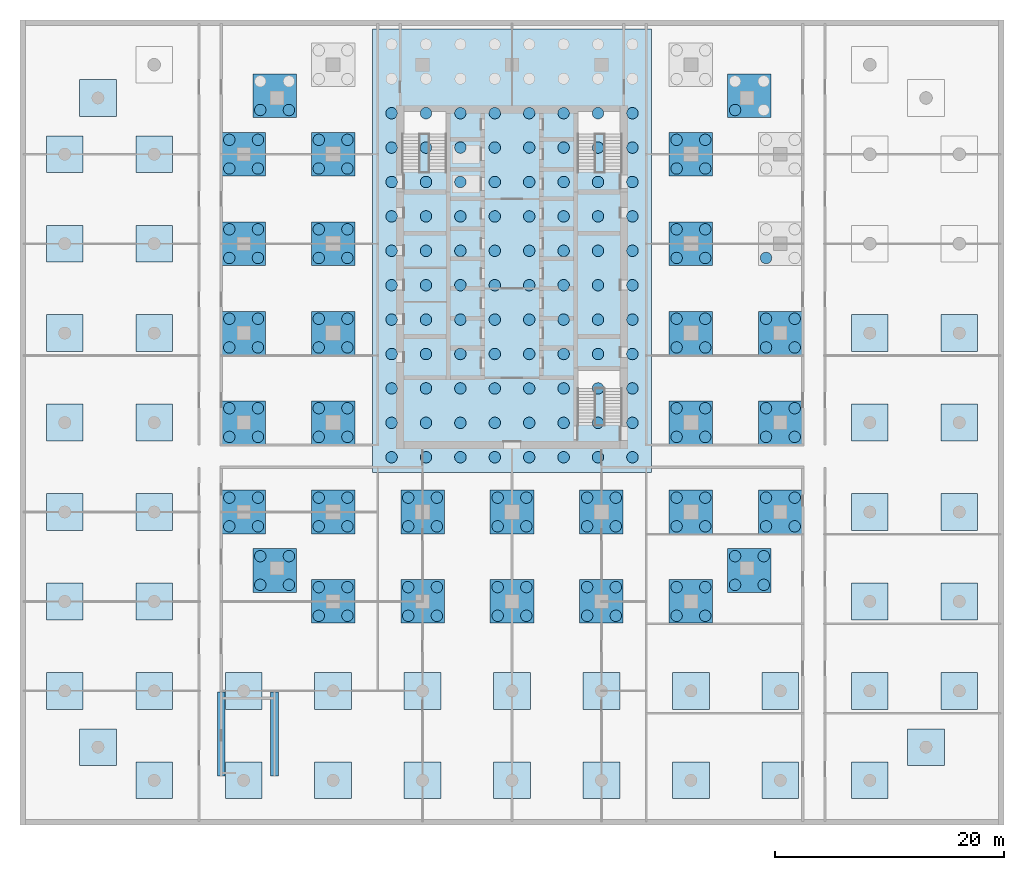
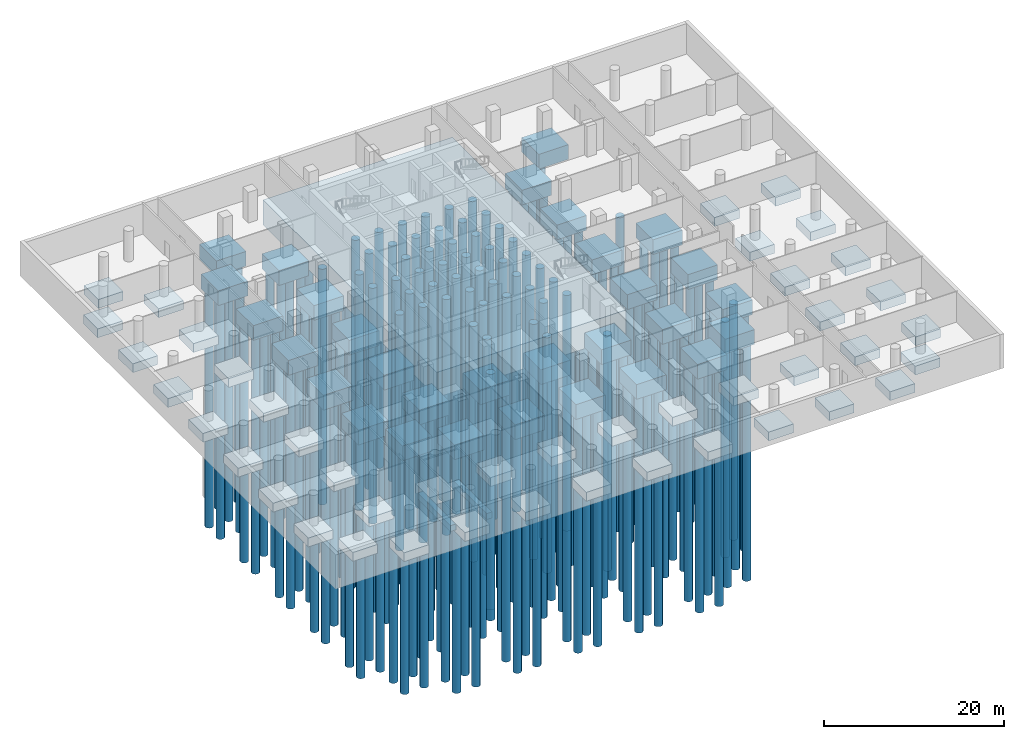
# One storey, part 1 of 16: 204 piles, 76 footings.
"""IFC4 building model written with IfcOpenShell, lengths in metres."""

from ifc_helpers import new_model, si_unit, direction, frame, origin, origin_2d, place, context, subcontext, project, spatial, rectangle, circle, extrude, material, material_profile, profile_set, type_object, element, save


model = new_model("IFC4")

# Units and contexts
model_context = context("Model", 3, precision=1e-05, world=origin(), true_north=direction((0.0, 1.0)))
body_context = subcontext(model_context, "Body", "Model", "MODEL_VIEW")
ifc_project = project(units=[si_unit("LENGTHUNIT", "METRE"), si_unit("AREAUNIT", "SQUARE_METRE"), si_unit("VOLUMEUNIT", "CUBIC_METRE"), si_unit("PLANEANGLEUNIT", "RADIAN"), si_unit("MASSUNIT", "GRAM", prefix="KILO")], contexts=[model_context])

# Site, building, storey
site_placement = place(None, origin())
site = spatial("IfcSite", under=ifc_project, at=site_placement, CompositionType="ELEMENT")
building_placement = place(site_placement, origin())
building = spatial("IfcBuilding", under=site, at=building_placement, Name="Ludao Terraces", CompositionType="ELEMENT")
storey_placement = place(building_placement, frame((0.0, 0.0, -9.0)))
storey = spatial("IfcBuildingStorey", under=building, at=storey_placement, Name="B2", CompositionType="ELEMENT", Elevation=-9.0)

# Piles
ifc_material = material(Name="Concrete C40", Category="concrete")
ifc_material_profile = material_profile(ifc_material, circle(Radius=0.5, at=origin_2d()), Name="D1000 BORED PILE")
ifc_profile_set = profile_set([ifc_material_profile], Name="Concrete C40")
pile_type = type_object("IfcPileType", Name="Bored pile D1000", PredefinedType="BORED", material=ifc_profile_set)
for number, where, z_axis, x_axis, name in (
    (1, (74.5, 54.175048828125, -3.89990234375), (0.0, 0.0, -1.0), (1.0, 0.0, 0.0), "Raft pile 1-1"),
    (2, (74.5, 57.175048828125, -3.89990234375), (0.0, 0.0, -1.0), (1.0, 0.0, 0.0), "Raft pile 1-2"),
    (3, (74.5, 60.175048828125, -3.89990234375), (0.0, 0.0, -1.0), (1.0, 0.0, 0.0), "Raft pile 1-3"),
    (4, (74.5, 63.175048828125, -3.89990234375), (0.0, 0.0, -1.0), (1.0, 0.0, 0.0), "Raft pile 1-4"),
    (5, (74.5, 66.175048828125, -3.89990234375), (0.0, 0.0, -1.0), (1.0, 0.0, 0.0), "Raft pile 1-5"),
    (6, (74.5, 69.175048828125, -3.89990234375), (0.0, 0.0, -1.0), (1.0, 0.0, 0.0), "Raft pile 1-6"),
    (7, (74.5, 72.175048828125, -3.89990234375), (0.0, 0.0, -1.0), (1.0, 0.0, 0.0), "Raft pile 1-7"),
    (8, (74.5, 75.175048828125, -3.89990234375), (0.0, 0.0, -1.0), (1.0, 0.0, 0.0), "Raft pile 1-8"),
    (9, (74.5, 78.175048828125, -3.89990234375), (0.0, 0.0, -1.0), (1.0, 0.0, 0.0), "Raft pile 1-9"),
    (10, (74.5, 81.175048828125, -3.89990234375), (0.0, 0.0, -1.0), (1.0, 0.0, 0.0), "Raft pile 1-10"),
    (11, (74.5, 84.175048828125, -3.89990234375), (0.0, 0.0, -1.0), (1.0, 0.0, 0.0), "Raft pile 1-11"),
    (12, (77.5, 54.175048828125, -3.89990234375), (0.0, 0.0, -1.0), (1.0, 0.0, 0.0), "Raft pile 2-1"),
    (13, (77.5, 57.175048828125, -3.89990234375), (0.0, 0.0, -1.0), (1.0, 0.0, 0.0), "Raft pile 2-2"),
    (14, (77.5, 60.175048828125, -3.89990234375), (0.0, 0.0, -1.0), (1.0, 0.0, 0.0), "Raft pile 2-3"),
    (15, (77.5, 63.175048828125, -3.89990234375), (0.0, 0.0, -1.0), (1.0, 0.0, 0.0), "Raft pile 2-4"),
    (16, (77.5, 66.175048828125, -3.89990234375), (0.0, 0.0, -1.0), (1.0, 0.0, 0.0), "Raft pile 2-5"),
    (17, (77.5, 69.175048828125, -3.89990234375), (0.0, 0.0, -1.0), (1.0, 0.0, 0.0), "Raft pile 2-6"),
    (18, (77.5, 72.175048828125, -3.89990234375), (0.0, 0.0, -1.0), (1.0, 0.0, 0.0), "Raft pile 2-7"),
    (19, (77.5, 75.175048828125, -3.89990234375), (0.0, 0.0, -1.0), (1.0, 0.0, 0.0), "Raft pile 2-8"),
    (20, (77.5, 78.175048828125, -3.89990234375), (0.0, 0.0, -1.0), (1.0, 0.0, 0.0), "Raft pile 2-9"),
    (21, (77.5, 81.175048828125, -3.89990234375), (0.0, 0.0, -1.0), (1.0, 0.0, 0.0), "Raft pile 2-10"),
    (22, (77.5, 84.175048828125, -3.89990234375), (0.0, 0.0, -1.0), (1.0, 0.0, 0.0), "Raft pile 2-11"),
    (23, (80.5, 54.175048828125, -3.89990234375), (0.0, 0.0, -1.0), (1.0, 0.0, 0.0), "Raft pile 3-1"),
    (24, (80.5, 57.175048828125, -3.89990234375), (0.0, 0.0, -1.0), (1.0, 0.0, 0.0), "Raft pile 3-2"),
    (25, (80.5, 60.175048828125, -3.89990234375), (0.0, 0.0, -1.0), (1.0, 0.0, 0.0), "Raft pile 3-3"),
    (26, (80.5, 63.175048828125, -3.89990234375), (0.0, 0.0, -1.0), (1.0, 0.0, 0.0), "Raft pile 3-4"),
    (27, (80.5, 66.175048828125, -3.89990234375), (0.0, 0.0, -1.0), (1.0, 0.0, 0.0), "Raft pile 3-5"),
    (28, (80.5, 69.175048828125, -3.89990234375), (0.0, 0.0, -1.0), (1.0, 0.0, 0.0), "Raft pile 3-6"),
    (29, (80.5, 72.175048828125, -3.89990234375), (0.0, 0.0, -1.0), (1.0, 0.0, 0.0), "Raft pile 3-7"),
    (30, (80.5, 75.175048828125, -3.89990234375), (0.0, 0.0, -1.0), (1.0, 0.0, 0.0), "Raft pile 3-8"),
    (31, (80.5, 78.175048828125, -3.89990234375), (0.0, 0.0, -1.0), (1.0, 0.0, 0.0), "Raft pile 3-9"),
    (32, (80.5, 81.175048828125, -3.89990234375), (0.0, 0.0, -1.0), (1.0, 0.0, 0.0), "Raft pile 3-10"),
    (33, (80.5, 84.175048828125, -3.89990234375), (0.0, 0.0, -1.0), (1.0, 0.0, 0.0), "Raft pile 3-11"),
    (34, (83.5, 54.175048828125, -3.89990234375), (0.0, 0.0, -1.0), (1.0, 0.0, 0.0), "Raft pile 4-1"),
    (35, (83.5, 57.175048828125, -3.89990234375), (0.0, 0.0, -1.0), (1.0, 0.0, 0.0), "Raft pile 4-2"),
    (36, (83.5, 60.175048828125, -3.89990234375), (0.0, 0.0, -1.0), (1.0, 0.0, 0.0), "Raft pile 4-3"),
    (37, (83.5, 63.175048828125, -3.89990234375), (0.0, 0.0, -1.0), (1.0, 0.0, 0.0), "Raft pile 4-4"),
    (38, (83.5, 66.175048828125, -3.89990234375), (0.0, 0.0, -1.0), (1.0, 0.0, 0.0), "Raft pile 4-5"),
    (39, (83.5, 69.175048828125, -3.89990234375), (0.0, 0.0, -1.0), (1.0, 0.0, 0.0), "Raft pile 4-6"),
    (40, (83.5, 72.175048828125, -3.89990234375), (0.0, 0.0, -1.0), (1.0, 0.0, 0.0), "Raft pile 4-7"),
    (41, (83.5, 75.175048828125, -3.89990234375), (0.0, 0.0, -1.0), (1.0, 0.0, 0.0), "Raft pile 4-8"),
    (42, (83.5, 78.175048828125, -3.89990234375), (0.0, 0.0, -1.0), (1.0, 0.0, 0.0), "Raft pile 4-9"),
    (43, (83.5, 81.175048828125, -3.89990234375), (0.0, 0.0, -1.0), (1.0, 0.0, 0.0), "Raft pile 4-10"),
    (44, (83.5, 84.175048828125, -3.89990234375), (0.0, 0.0, -1.0), (1.0, 0.0, 0.0), "Raft pile 4-11"),
    (45, (86.5, 54.175048828125, -3.89990234375), (0.0, 0.0, -1.0), (1.0, 0.0, 0.0), "Raft pile 5-1"),
    (46, (86.5, 57.175048828125, -3.89990234375), (0.0, 0.0, -1.0), (1.0, 0.0, 0.0), "Raft pile 5-2"),
    (47, (86.5, 60.175048828125, -3.89990234375), (0.0, 0.0, -1.0), (1.0, 0.0, 0.0), "Raft pile 5-3"),
    (48, (86.5, 63.175048828125, -3.89990234375), (0.0, 0.0, -1.0), (1.0, 0.0, 0.0), "Raft pile 5-4"),
    (49, (86.5, 66.175048828125, -3.89990234375), (0.0, 0.0, -1.0), (1.0, 0.0, 0.0), "Raft pile 5-5"),
    (50, (86.5, 69.175048828125, -3.89990234375), (0.0, 0.0, -1.0), (1.0, 0.0, 0.0), "Raft pile 5-6"),
    (51, (86.5, 72.175048828125, -3.89990234375), (0.0, 0.0, -1.0), (1.0, 0.0, 0.0), "Raft pile 5-7"),
    (52, (86.5, 75.175048828125, -3.89990234375), (0.0, 0.0, -1.0), (1.0, 0.0, 0.0), "Raft pile 5-8"),
    (53, (86.5, 78.175048828125, -3.89990234375), (0.0, 0.0, -1.0), (1.0, 0.0, 0.0), "Raft pile 5-9"),
    (54, (86.5, 81.175048828125, -3.89990234375), (0.0, 0.0, -1.0), (1.0, 0.0, 0.0), "Raft pile 5-10"),
    (55, (86.5, 84.175048828125, -3.89990234375), (0.0, 0.0, -1.0), (1.0, 0.0, 0.0), "Raft pile 5-11"),
    (56, (89.5, 54.175048828125, -3.89990234375), (0.0, 0.0, -1.0), (1.0, 0.0, 0.0), "Raft pile 6-1"),
    (57, (89.5, 57.175048828125, -3.89990234375), (0.0, 0.0, -1.0), (1.0, 0.0, 0.0), "Raft pile 6-2"),
    (58, (89.5, 60.175048828125, -3.89990234375), (0.0, 0.0, -1.0), (1.0, 0.0, 0.0), "Raft pile 6-3"),
    (59, (89.5, 63.175048828125, -3.89990234375), (0.0, 0.0, -1.0), (1.0, 0.0, 0.0), "Raft pile 6-4"),
    (60, (89.5, 66.175048828125, -3.89990234375), (0.0, 0.0, -1.0), (1.0, 0.0, 0.0), "Raft pile 6-5"),
    (61, (89.5, 69.175048828125, -3.89990234375), (0.0, 0.0, -1.0), (1.0, 0.0, 0.0), "Raft pile 6-6"),
    (62, (89.5, 72.175048828125, -3.89990234375), (0.0, 0.0, -1.0), (1.0, 0.0, 0.0), "Raft pile 6-7"),
    (63, (89.5, 75.175048828125, -3.89990234375), (0.0, 0.0, -1.0), (1.0, 0.0, 0.0), "Raft pile 6-8"),
    (64, (89.5, 78.175048828125, -3.89990234375), (0.0, 0.0, -1.0), (1.0, 0.0, 0.0), "Raft pile 6-9"),
    (65, (89.5, 81.175048828125, -3.89990234375), (0.0, 0.0, -1.0), (1.0, 0.0, 0.0), "Raft pile 6-10"),
    (66, (89.5, 84.175048828125, -3.89990234375), (0.0, 0.0, -1.0), (1.0, 0.0, 0.0), "Raft pile 6-11"),
    (67, (92.5, 54.175048828125, -3.89990234375), (0.0, 0.0, -1.0), (1.0, 0.0, 0.0), "Raft pile 7-1"),
    (68, (92.5, 57.175048828125, -3.89990234375), (0.0, 0.0, -1.0), (1.0, 0.0, 0.0), "Raft pile 7-2"),
    (69, (92.5, 60.175048828125, -3.89990234375), (0.0, 0.0, -1.0), (1.0, 0.0, 0.0), "Raft pile 7-3"),
    (70, (92.5, 63.175048828125, -3.89990234375), (0.0, 0.0, -1.0), (1.0, 0.0, 0.0), "Raft pile 7-4"),
    (71, (92.5, 66.175048828125, -3.89990234375), (0.0, 0.0, -1.0), (1.0, 0.0, 0.0), "Raft pile 7-5"),
    (72, (92.5, 69.175048828125, -3.89990234375), (0.0, 0.0, -1.0), (1.0, 0.0, 0.0), "Raft pile 7-6"),
    (73, (92.5, 72.175048828125, -3.89990234375), (0.0, 0.0, -1.0), (1.0, 0.0, 0.0), "Raft pile 7-7"),
    (74, (92.5, 75.175048828125, -3.89990234375), (0.0, 0.0, -1.0), (1.0, 0.0, 0.0), "Raft pile 7-8"),
    (75, (92.5, 78.175048828125, -3.89990234375), (0.0, 0.0, -1.0), (1.0, 0.0, 0.0), "Raft pile 7-9"),
    (76, (92.5, 81.175048828125, -3.89990234375), (0.0, 0.0, -1.0), (1.0, 0.0, 0.0), "Raft pile 7-10"),
    (77, (92.5, 84.175048828125, -3.89990234375), (0.0, 0.0, -1.0), (1.0, 0.0, 0.0), "Raft pile 7-11"),
    (78, (95.5, 54.175048828125, -3.89990234375), (0.0, 0.0, -1.0), (1.0, 0.0, 0.0), "Raft pile 8-1"),
    (79, (95.5, 57.175048828125, -3.89990234375), (0.0, 0.0, -1.0), (1.0, 0.0, 0.0), "Raft pile 8-2"),
    (80, (95.5, 60.175048828125, -3.89990234375), (0.0, 0.0, -1.0), (1.0, 0.0, 0.0), "Raft pile 8-3"),
    (81, (95.5, 63.175048828125, -3.89990234375), (0.0, 0.0, -1.0), (1.0, 0.0, 0.0), "Raft pile 8-4"),
    (82, (95.5, 66.175048828125, -3.89990234375), (0.0, 0.0, -1.0), (1.0, 0.0, 0.0), "Raft pile 8-5"),
    (83, (95.5, 69.175048828125, -3.89990234375), (0.0, 0.0, -1.0), (1.0, 0.0, 0.0), "Raft pile 8-6"),
    (84, (95.5, 72.175048828125, -3.89990234375), (0.0, 0.0, -1.0), (1.0, 0.0, 0.0), "Raft pile 8-7"),
    (85, (95.5, 75.175048828125, -3.89990234375), (0.0, 0.0, -1.0), (1.0, 0.0, 0.0), "Raft pile 8-8"),
    (86, (95.5, 78.175048828125, -3.89990234375), (0.0, 0.0, -1.0), (1.0, 0.0, 0.0), "Raft pile 8-9"),
    (87, (95.5, 81.175048828125, -3.89990234375), (0.0, 0.0, -1.0), (1.0, 0.0, 0.0), "Raft pile 8-10"),
    (88, (95.5, 84.175048828125, -3.89990234375), (0.0, 0.0, -1.0), (1.0, 0.0, 0.0), "Raft pile 8-11"),
    (89, (63.050048828125, 43.050048828125, -2.5), (0.0, 0.0, -1.0), (1.0, 0.0, 0.0), "Pile C0029x0029-1"),
    (90, (65.550048828125, 43.050048828125, -2.5), (0.0, 0.0, -1.0), (1.0, 0.0, 0.0), "Pile C0029x0029-2"),
    (91, (63.050048828125, 45.550048828125, -2.5), (0.0, 0.0, -1.0), (1.0, 0.0, 0.0), "Pile C0029x0029-3"),
    (92, (65.550048828125, 45.550048828125, -2.5), (0.0, 0.0, -1.0), (1.0, 0.0, 0.0), "Pile C0029x0029-4"),
    (93, (104.449951171875, 43.050048828125, -2.5), (0.0, 0.0, -1.0), (1.0, 0.0, 0.0), "Pile C0439x0029-1"),
    (94, (106.949951171875, 43.050048828125, -2.5), (0.0, 0.0, -1.0), (1.0, 0.0, 0.0), "Pile C0439x0029-2"),
    (95, (104.449951171875, 45.550048828125, -2.5), (0.0, 0.0, -1.0), (1.0, 0.0, 0.0), "Pile C0439x0029-3"),
    (96, (106.949951171875, 45.550048828125, -2.5), (0.0, 0.0, -1.0), (1.0, 0.0, 0.0), "Pile C0439x0029-4"),
    (97, (63.050048828125, 84.449951171875, -2.5), (0.0, 0.0, -1.0), (1.0, 0.0, 0.0), "Pile C0029x0439-1"),
    (98, (65.550048828125, 84.449951171875, -2.5), (0.0, 0.0, -1.0), (1.0, 0.0, 0.0), "Pile C0029x0439-2"),
    (99, (104.449951171875, 84.449951171875, -2.5), (0.0, 0.0, -1.0), (1.0, 0.0, 0.0), "Pile C0439x0439-1"),
    (100, (60.35009765625, 48.14990234375, -2.5), (0.0, 0.0, -1.0), (1.0, 0.0, 0.0), "Pile F0000x0078-1"),
    (101, (62.85009765625, 48.14990234375, -2.5), (0.0, 0.0, -1.0), (1.0, 0.0, 0.0), "Pile F0000x0078-2"),
    (102, (60.35009765625, 50.64990234375, -2.5), (0.0, 0.0, -1.0), (1.0, 0.0, 0.0), "Pile F0000x0078-3"),
    (103, (62.85009765625, 50.64990234375, -2.5), (0.0, 0.0, -1.0), (1.0, 0.0, 0.0), "Pile F0000x0078-4"),
    (104, (107.14990234375, 48.14990234375, -2.5), (0.0, 0.0, -1.0), (1.0, 0.0, 0.0), "Pile F0468x0078-1"),
    (105, (109.64990234375, 48.14990234375, -2.5), (0.0, 0.0, -1.0), (1.0, 0.0, 0.0), "Pile F0468x0078-2"),
    (106, (107.14990234375, 50.64990234375, -2.5), (0.0, 0.0, -1.0), (1.0, 0.0, 0.0), "Pile F0468x0078-3"),
    (107, (109.64990234375, 50.64990234375, -2.5), (0.0, 0.0, -1.0), (1.0, 0.0, 0.0), "Pile F0468x0078-4"),
    (108, (68.14990234375, 40.35009765625, -2.5), (0.0, 0.0, -1.0), (1.0, 0.0, 0.0), "Pile F0078x0000-1"),
    (109, (70.64990234375, 40.35009765625, -2.5), (0.0, 0.0, -1.0), (1.0, 0.0, 0.0), "Pile F0078x0000-2"),
    (110, (68.14990234375, 42.85009765625, -2.5), (0.0, 0.0, -1.0), (1.0, 0.0, 0.0), "Pile F0078x0000-3"),
    (111, (70.64990234375, 42.85009765625, -2.5), (0.0, 0.0, -1.0), (1.0, 0.0, 0.0), "Pile F0078x0000-4"),
    (112, (60.35009765625, 55.949951171875, -2.5), (0.0, 0.0, -1.0), (1.0, 0.0, 0.0), "Pile F0000x0156-1"),
    (113, (62.85009765625, 55.949951171875, -2.5), (0.0, 0.0, -1.0), (1.0, 0.0, 0.0), "Pile F0000x0156-2"),
    (114, (60.35009765625, 58.449951171875, -2.5), (0.0, 0.0, -1.0), (1.0, 0.0, 0.0), "Pile F0000x0156-3"),
    (115, (62.85009765625, 58.449951171875, -2.5), (0.0, 0.0, -1.0), (1.0, 0.0, 0.0), "Pile F0000x0156-4"),
    (116, (107.14990234375, 55.949951171875, -2.5), (0.0, 0.0, -1.0), (1.0, 0.0, 0.0), "Pile F0468x0156-1"),
    (117, (109.64990234375, 55.949951171875, -2.5), (0.0, 0.0, -1.0), (1.0, 0.0, 0.0), "Pile F0468x0156-2"),
    (118, (107.14990234375, 58.449951171875, -2.5), (0.0, 0.0, -1.0), (1.0, 0.0, 0.0), "Pile F0468x0156-3"),
    (119, (109.64990234375, 58.449951171875, -2.5), (0.0, 0.0, -1.0), (1.0, 0.0, 0.0), "Pile F0468x0156-4"),
    (120, (75.949951171875, 40.35009765625, -2.5), (0.0, 0.0, -1.0), (1.0, 0.0, 0.0), "Pile F0156x0000-1"),
    (121, (78.449951171875, 40.35009765625, -2.5), (0.0, 0.0, -1.0), (1.0, 0.0, 0.0), "Pile F0156x0000-2"),
    (122, (75.949951171875, 42.85009765625, -2.5), (0.0, 0.0, -1.0), (1.0, 0.0, 0.0), "Pile F0156x0000-3"),
    (123, (78.449951171875, 42.85009765625, -2.5), (0.0, 0.0, -1.0), (1.0, 0.0, 0.0), "Pile F0156x0000-4"),
    (124, (60.35009765625, 63.75, -2.5), (0.0, 0.0, -1.0), (1.0, 0.0, 0.0), "Pile F0000x0234-1"),
    (125, (62.85009765625, 63.75, -2.5), (0.0, 0.0, -1.0), (1.0, 0.0, 0.0), "Pile F0000x0234-2"),
    (126, (60.35009765625, 66.25, -2.5), (0.0, 0.0, -1.0), (1.0, 0.0, 0.0), "Pile F0000x0234-3"),
    (127, (62.85009765625, 66.25, -2.5), (0.0, 0.0, -1.0), (1.0, 0.0, 0.0), "Pile F0000x0234-4"),
    (128, (107.14990234375, 63.75, -2.5), (0.0, 0.0, -1.0), (1.0, 0.0, 0.0), "Pile F0468x0234-1"),
    (129, (109.64990234375, 63.75, -2.5), (0.0, 0.0, -1.0), (1.0, 0.0, 0.0), "Pile F0468x0234-2"),
    (130, (107.14990234375, 66.25, -2.5), (0.0, 0.0, -1.0), (1.0, 0.0, 0.0), "Pile F0468x0234-3"),
    (131, (109.64990234375, 66.25, -2.5), (0.0, 0.0, -1.0), (1.0, 0.0, 0.0), "Pile F0468x0234-4"),
    (132, (83.75, 40.35009765625, -2.5), (0.0, 0.0, -1.0), (1.0, 0.0, 0.0), "Pile F0234x0000-1"),
    (133, (86.25, 40.35009765625, -2.5), (0.0, 0.0, -1.0), (1.0, 0.0, 0.0), "Pile F0234x0000-2"),
    (134, (83.75, 42.85009765625, -2.5), (0.0, 0.0, -1.0), (1.0, 0.0, 0.0), "Pile F0234x0000-3"),
    (135, (86.25, 42.85009765625, -2.5), (0.0, 0.0, -1.0), (1.0, 0.0, 0.0), "Pile F0234x0000-4"),
    (136, (60.35009765625, 71.550048828125, -2.5), (0.0, 0.0, -1.0), (1.0, 0.0, 0.0), "Pile F0000x0312-1"),
    (137, (62.85009765625, 71.550048828125, -2.5), (0.0, 0.0, -1.0), (1.0, 0.0, 0.0), "Pile F0000x0312-2"),
    (138, (60.35009765625, 74.050048828125, -2.5), (0.0, 0.0, -1.0), (1.0, 0.0, 0.0), "Pile F0000x0312-3"),
    (139, (62.85009765625, 74.050048828125, -2.5), (0.0, 0.0, -1.0), (1.0, 0.0, 0.0), "Pile F0000x0312-4"),
    (140, (107.14990234375, 71.550048828125, -2.5), (0.0, 0.0, -1.0), (1.0, 0.0, 0.0), "Pile F0468x0312-1"),
    (141, (91.550048828125, 40.35009765625, -2.5), (0.0, 0.0, -1.0), (1.0, 0.0, 0.0), "Pile F0312x0000-1"),
    (142, (94.050048828125, 40.35009765625, -2.5), (0.0, 0.0, -1.0), (1.0, 0.0, 0.0), "Pile F0312x0000-2"),
    (143, (91.550048828125, 42.85009765625, -2.5), (0.0, 0.0, -1.0), (1.0, 0.0, 0.0), "Pile F0312x0000-3"),
    (144, (94.050048828125, 42.85009765625, -2.5), (0.0, 0.0, -1.0), (1.0, 0.0, 0.0), "Pile F0312x0000-4"),
    (145, (60.35009765625, 79.35009765625, -2.5), (0.0, 0.0, -1.0), (1.0, 0.0, 0.0), "Pile F0000x0390-1"),
    (146, (62.85009765625, 79.35009765625, -2.5), (0.0, 0.0, -1.0), (1.0, 0.0, 0.0), "Pile F0000x0390-2"),
    (147, (60.35009765625, 81.85009765625, -2.5), (0.0, 0.0, -1.0), (1.0, 0.0, 0.0), "Pile F0000x0390-3"),
    (148, (62.85009765625, 81.85009765625, -2.5), (0.0, 0.0, -1.0), (1.0, 0.0, 0.0), "Pile F0000x0390-4"),
    (149, (99.35009765625, 40.35009765625, -2.5), (0.0, 0.0, -1.0), (1.0, 0.0, 0.0), "Pile F0390x0000-1"),
    (150, (101.85009765625, 40.35009765625, -2.5), (0.0, 0.0, -1.0), (1.0, 0.0, 0.0), "Pile F0390x0000-2"),
    (151, (99.35009765625, 42.85009765625, -2.5), (0.0, 0.0, -1.0), (1.0, 0.0, 0.0), "Pile F0390x0000-3"),
    (152, (101.85009765625, 42.85009765625, -2.5), (0.0, 0.0, -1.0), (1.0, 0.0, 0.0), "Pile F0390x0000-4"),
    (153, (68.14990234375, 48.14990234375, -2.5), (0.0, 0.0, -1.0), (1.0, 0.0, 0.0), "Pile S0078x0078-1"),
    (154, (70.64990234375, 48.14990234375, -2.5), (0.0, 0.0, -1.0), (1.0, 0.0, 0.0), "Pile S0078x0078-2"),
    (155, (68.14990234375, 50.64990234375, -2.5), (0.0, 0.0, -1.0), (1.0, 0.0, 0.0), "Pile S0078x0078-3"),
    (156, (70.64990234375, 50.64990234375, -2.5), (0.0, 0.0, -1.0), (1.0, 0.0, 0.0), "Pile S0078x0078-4"),
    (157, (68.14990234375, 55.949951171875, -2.5), (0.0, 0.0, -1.0), (1.0, 0.0, 0.0), "Pile S0078x0156-1"),
    (158, (70.64990234375, 55.949951171875, -2.5), (0.0, 0.0, -1.0), (1.0, 0.0, 0.0), "Pile S0078x0156-2"),
    (159, (68.14990234375, 58.449951171875, -2.5), (0.0, 0.0, -1.0), (1.0, 0.0, 0.0), "Pile S0078x0156-3"),
    (160, (70.64990234375, 58.449951171875, -2.5), (0.0, 0.0, -1.0), (1.0, 0.0, 0.0), "Pile S0078x0156-4"),
    (161, (68.14990234375, 63.75, -2.5), (0.0, 0.0, -1.0), (1.0, 0.0, 0.0), "Pile S0078x0234-1"),
    (162, (70.64990234375, 63.75, -2.5), (0.0, 0.0, -1.0), (1.0, 0.0, 0.0), "Pile S0078x0234-2"),
    (163, (68.14990234375, 66.25, -2.5), (0.0, 0.0, -1.0), (1.0, 0.0, 0.0), "Pile S0078x0234-3"),
    (164, (70.64990234375, 66.25, -2.5), (0.0, 0.0, -1.0), (1.0, 0.0, 0.0), "Pile S0078x0234-4"),
    (165, (68.14990234375, 71.550048828125, -2.5), (0.0, 0.0, -1.0), (1.0, 0.0, 0.0), "Pile S0078x0312-1"),
    (166, (70.64990234375, 71.550048828125, -2.5), (0.0, 0.0, -1.0), (1.0, 0.0, 0.0), "Pile S0078x0312-2"),
    (167, (68.14990234375, 74.050048828125, -2.5), (0.0, 0.0, -1.0), (1.0, 0.0, 0.0), "Pile S0078x0312-3"),
    (168, (70.64990234375, 74.050048828125, -2.5), (0.0, 0.0, -1.0), (1.0, 0.0, 0.0), "Pile S0078x0312-4"),
    (169, (68.14990234375, 79.35009765625, -2.5), (0.0, 0.0, -1.0), (1.0, 0.0, 0.0), "Pile S0078x0390-1"),
    (170, (70.64990234375, 79.35009765625, -2.5), (0.0, 0.0, -1.0), (1.0, 0.0, 0.0), "Pile S0078x0390-2"),
    (171, (68.14990234375, 81.85009765625, -2.5), (0.0, 0.0, -1.0), (1.0, 0.0, 0.0), "Pile S0078x0390-3"),
    (172, (70.64990234375, 81.85009765625, -2.5), (0.0, 0.0, -1.0), (1.0, 0.0, 0.0), "Pile S0078x0390-4"),
    (173, (75.949951171875, 48.14990234375, -2.5), (0.0, 0.0, -1.0), (1.0, 0.0, 0.0), "Pile S0156x0078-1"),
    (174, (78.449951171875, 48.14990234375, -2.5), (0.0, 0.0, -1.0), (1.0, 0.0, 0.0), "Pile S0156x0078-2"),
    (175, (75.949951171875, 50.64990234375, -2.5), (0.0, 0.0, -1.0), (1.0, 0.0, 0.0), "Pile S0156x0078-3"),
    (176, (78.449951171875, 50.64990234375, -2.5), (0.0, 0.0, -1.0), (1.0, 0.0, 0.0), "Pile S0156x0078-4"),
    (177, (83.75, 48.14990234375, -2.5), (0.0, 0.0, -1.0), (1.0, 0.0, 0.0), "Pile S0234x0078-1"),
    (178, (86.25, 48.14990234375, -2.5), (0.0, 0.0, -1.0), (1.0, 0.0, 0.0), "Pile S0234x0078-2"),
    (179, (83.75, 50.64990234375, -2.5), (0.0, 0.0, -1.0), (1.0, 0.0, 0.0), "Pile S0234x0078-3"),
    (180, (86.25, 50.64990234375, -2.5), (0.0, 0.0, -1.0), (1.0, 0.0, 0.0), "Pile S0234x0078-4"),
    (181, (91.550048828125, 48.14990234375, -2.5), (0.0, 0.0, -1.0), (1.0, 0.0, 0.0), "Pile S0312x0078-1"),
    (182, (94.050048828125, 48.14990234375, -2.5), (0.0, 0.0, -1.0), (1.0, 0.0, 0.0), "Pile S0312x0078-2"),
    (183, (91.550048828125, 50.64990234375, -2.5), (0.0, 0.0, -1.0), (1.0, 0.0, 0.0), "Pile S0312x0078-3"),
    (184, (94.050048828125, 50.64990234375, -2.5), (0.0, 0.0, -1.0), (1.0, 0.0, 0.0), "Pile S0312x0078-4"),
    (185, (99.35009765625, 48.14990234375, -2.5), (0.0, 0.0, -1.0), (1.0, 0.0, 0.0), "Pile S0390x0078-1"),
    (186, (101.85009765625, 48.14990234375, -2.5), (0.0, 0.0, -1.0), (1.0, 0.0, 0.0), "Pile S0390x0078-2"),
    (187, (99.35009765625, 50.64990234375, -2.5), (0.0, 0.0, -1.0), (1.0, 0.0, 0.0), "Pile S0390x0078-3"),
    (188, (101.85009765625, 50.64990234375, -2.5), (0.0, 0.0, -1.0), (1.0, 0.0, 0.0), "Pile S0390x0078-4"),
    (189, (99.35009765625, 55.949951171875, -2.5), (0.0, 0.0, -1.0), (1.0, 0.0, 0.0), "Pile S0390x0156-1"),
    (190, (101.85009765625, 55.949951171875, -2.5), (0.0, 0.0, -1.0), (1.0, 0.0, 0.0), "Pile S0390x0156-2"),
    (191, (99.35009765625, 58.449951171875, -2.5), (0.0, 0.0, -1.0), (1.0, 0.0, 0.0), "Pile S0390x0156-3"),
    (192, (101.85009765625, 58.449951171875, -2.5), (0.0, 0.0, -1.0), (1.0, 0.0, 0.0), "Pile S0390x0156-4"),
    (193, (99.35009765625, 63.75, -2.5), (0.0, 0.0, -1.0), (1.0, 0.0, 0.0), "Pile S0390x0234-1"),
    (194, (101.85009765625, 63.75, -2.5), (0.0, 0.0, -1.0), (1.0, 0.0, 0.0), "Pile S0390x0234-2"),
    (195, (99.35009765625, 66.25, -2.5), (0.0, 0.0, -1.0), (1.0, 0.0, 0.0), "Pile S0390x0234-3"),
    (196, (101.85009765625, 66.25, -2.5), (0.0, 0.0, -1.0), (1.0, 0.0, 0.0), "Pile S0390x0234-4"),
    (197, (99.35009765625, 71.550048828125, -2.5), (0.0, 0.0, -1.0), (1.0, 0.0, 0.0), "Pile S0390x0312-1"),
    (198, (101.85009765625, 71.550048828125, -2.5), (0.0, 0.0, -1.0), (1.0, 0.0, 0.0), "Pile S0390x0312-2"),
    (199, (99.35009765625, 74.050048828125, -2.5), (0.0, 0.0, -1.0), (1.0, 0.0, 0.0), "Pile S0390x0312-3"),
    (200, (101.85009765625, 74.050048828125, -2.5), (0.0, 0.0, -1.0), (1.0, 0.0, 0.0), "Pile S0390x0312-4"),
    (201, (99.35009765625, 79.35009765625, -2.5), (0.0, 0.0, -1.0), (1.0, 0.0, 0.0), "Pile S0390x0390-1"),
    (202, (101.85009765625, 79.35009765625, -2.5), (0.0, 0.0, -1.0), (1.0, 0.0, 0.0), "Pile S0390x0390-2"),
    (203, (99.35009765625, 81.85009765625, -2.5), (0.0, 0.0, -1.0), (1.0, 0.0, 0.0), "Pile S0390x0390-3"),
    (204, (101.85009765625, 81.85009765625, -2.5), (0.0, 0.0, -1.0), (1.0, 0.0, 0.0), "Pile S0390x0390-4"),
):
    element("IfcPile", number, at=place(storey_placement, frame(where, z_axis=z_axis, x_axis=x_axis)), inside=storey, type_object=pile_type, Name=name, PredefinedType="BORED", context=body_context, shape_type="SweptSolid", body=[
        extrude(circle(Radius=0.5, at=origin_2d()), origin(), (0.0, 0.0, 1.0), 32.0),
    ])

# Footings
footing_type_1 = type_object("IfcFootingType", Name="Pad footing 3200x3200x1200 C40", PredefinedType="PAD_FOOTING", material=ifc_material)
for number, where, z_axis, x_axis, name in (
    (205, (48.89990234375, 28.89990234375, -1.7001953125), (0.0, 0.0, 1.0), (1.0, 0.0, 0.0), "Pad G-127x-127"),
    (206, (46.0, 33.800048828125, -1.7001953125), (0.0, 0.0, 1.0), (1.0, 0.0, 0.0), "Pad G-156x-078"),
    (207, (46.0, 41.60009765625, -1.7001953125), (0.0, 0.0, 1.0), (1.0, 0.0, 0.0), "Pad G-156x0000"),
    (208, (46.0, 49.39990234375, -1.7001953125), (0.0, 0.0, 1.0), (1.0, 0.0, 0.0), "Pad G-156x0078"),
    (209, (46.0, 57.199951171875, -1.7001953125), (0.0, 0.0, 1.0), (1.0, 0.0, 0.0), "Pad G-156x0156"),
    (210, (46.0, 65.0, -1.7001953125), (0.0, 0.0, 1.0), (1.0, 0.0, 0.0), "Pad G-156x0234"),
    (211, (46.0, 72.800048828125, -1.7001953125), (0.0, 0.0, 1.0), (1.0, 0.0, 0.0), "Pad G-156x0312"),
    (212, (46.0, 80.60009765625, -1.7001953125), (0.0, 0.0, 1.0), (1.0, 0.0, 0.0), "Pad G-156x0390"),
    (213, (48.89990234375, 85.5, -1.7001953125), (0.0, 0.0, 1.0), (1.0, 0.0, 0.0), "Pad G-127x0439"),
    (214, (53.800048828125, 26.0, -1.7001953125), (0.0, 0.0, 1.0), (1.0, 0.0, 0.0), "Pad G-078x-156"),
    (215, (53.800048828125, 33.800048828125, -1.7001953125), (0.0, 0.0, 1.0), (1.0, 0.0, 0.0), "Pad G-078x-078"),
    (216, (53.800048828125, 41.60009765625, -1.7001953125), (0.0, 0.0, 1.0), (1.0, 0.0, 0.0), "Pad G-078x0000"),
    (217, (53.800048828125, 49.39990234375, -1.7001953125), (0.0, 0.0, 1.0), (1.0, 0.0, 0.0), "Pad G-078x0078"),
    (218, (53.800048828125, 57.199951171875, -1.7001953125), (0.0, 0.0, 1.0), (1.0, 0.0, 0.0), "Pad G-078x0156"),
    (219, (53.800048828125, 65.0, -1.7001953125), (0.0, 0.0, 1.0), (1.0, 0.0, 0.0), "Pad G-078x0234"),
    (220, (53.800048828125, 72.800048828125, -1.7001953125), (0.0, 0.0, 1.0), (1.0, 0.0, 0.0), "Pad G-078x0312"),
    (221, (53.800048828125, 80.60009765625, -1.7001953125), (0.0, 0.0, 1.0), (1.0, 0.0, 0.0), "Pad G-078x0390"),
    (222, (61.60009765625, 26.0, -1.7001953125), (0.0, 0.0, 1.0), (1.0, 0.0, 0.0), "Pad G0000x-156"),
    (223, (61.60009765625, 33.800048828125, -1.7001953125), (0.0, 0.0, 1.0), (1.0, 0.0, 0.0), "Pad G0000x-078"),
    (224, (69.39990234375, 26.0, -1.7001953125), (0.0, 0.0, 1.0), (1.0, 0.0, 0.0), "Pad G0078x-156"),
    (225, (69.39990234375, 33.800048828125, -1.7001953125), (0.0, 0.0, 1.0), (1.0, 0.0, 0.0), "Pad G0078x-078"),
    (226, (77.199951171875, 26.0, -1.7001953125), (0.0, 0.0, 1.0), (1.0, 0.0, 0.0), "Pad G0156x-156"),
    (227, (77.199951171875, 33.800048828125, -1.7001953125), (0.0, 0.0, 1.0), (1.0, 0.0, 0.0), "Pad G0156x-078"),
    (228, (85.0, 26.0, -1.7001953125), (0.0, 0.0, 1.0), (1.0, 0.0, 0.0), "Pad G0234x-156"),
    (229, (85.0, 33.800048828125, -1.7001953125), (0.0, 0.0, 1.0), (1.0, 0.0, 0.0), "Pad G0234x-078"),
    (230, (92.800048828125, 26.0, -1.7001953125), (0.0, 0.0, 1.0), (1.0, 0.0, 0.0), "Pad G0312x-156"),
    (231, (92.800048828125, 33.800048828125, -1.7001953125), (0.0, 0.0, 1.0), (1.0, 0.0, 0.0), "Pad G0312x-078"),
    (232, (100.60009765625, 26.0, -1.7001953125), (0.0, 0.0, 1.0), (1.0, 0.0, 0.0), "Pad G0390x-156"),
    (233, (100.60009765625, 33.800048828125, -1.7001953125), (0.0, 0.0, 1.0), (1.0, 0.0, 0.0), "Pad G0390x-078"),
    (234, (108.39990234375, 26.0, -1.7001953125), (0.0, 0.0, 1.0), (1.0, 0.0, 0.0), "Pad G0468x-156"),
    (235, (108.39990234375, 33.800048828125, -1.7001953125), (0.0, 0.0, 1.0), (1.0, 0.0, 0.0), "Pad G0468x-078"),
    (236, (116.199951171875, 26.0, -1.7001953125), (0.0, 0.0, 1.0), (1.0, 0.0, 0.0), "Pad G0546x-156"),
    (237, (116.199951171875, 33.800048828125, -1.7001953125), (0.0, 0.0, 1.0), (1.0, 0.0, 0.0), "Pad G0546x-078"),
    (238, (116.199951171875, 41.60009765625, -1.7001953125), (0.0, 0.0, 1.0), (1.0, 0.0, 0.0), "Pad G0546x0000"),
    (239, (116.199951171875, 49.39990234375, -1.7001953125), (0.0, 0.0, 1.0), (1.0, 0.0, 0.0), "Pad G0546x0078"),
    (240, (116.199951171875, 57.199951171875, -1.7001953125), (0.0, 0.0, 1.0), (1.0, 0.0, 0.0), "Pad G0546x0156"),
    (241, (116.199951171875, 65.0, -1.7001953125), (0.0, 0.0, 1.0), (1.0, 0.0, 0.0), "Pad G0546x0234"),
    (242, (121.10009765625, 28.89990234375, -1.7001953125), (0.0, 0.0, 1.0), (1.0, 0.0, 0.0), "Pad G0595x-127"),
    (243, (124.0, 33.800048828125, -1.7001953125), (0.0, 0.0, 1.0), (1.0, 0.0, 0.0), "Pad G0624x-078"),
    (244, (124.0, 41.60009765625, -1.7001953125), (0.0, 0.0, 1.0), (1.0, 0.0, 0.0), "Pad G0624x0000"),
    (245, (124.0, 49.39990234375, -1.7001953125), (0.0, 0.0, 1.0), (1.0, 0.0, 0.0), "Pad G0624x0078"),
    (246, (124.0, 57.199951171875, -1.7001953125), (0.0, 0.0, 1.0), (1.0, 0.0, 0.0), "Pad G0624x0156"),
    (247, (124.0, 65.0, -1.7001953125), (0.0, 0.0, 1.0), (1.0, 0.0, 0.0), "Pad G0624x0234"),
):
    element("IfcFooting", number, at=place(storey_placement, frame(where, z_axis=z_axis, x_axis=x_axis)), inside=storey, type_object=footing_type_1, Name=name, PredefinedType="PAD_FOOTING", context=body_context, shape_type="SweptSolid", body=[
        extrude(rectangle(XDim=3.199951171875, YDim=3.199951171875, at=origin_2d()), origin(), (0.0, 0.0, 1.0), 1.199951171875),
    ])
footing_type_2 = type_object("IfcFootingType", Name="Pile cap 3800x3800x2000 C40", PredefinedType="PILE_CAP", material=ifc_material)
for number, where, z_axis, x_axis, name in (
    (248, (64.300048828125, 44.300048828125, -2.5), (0.0, 0.0, 1.0), (1.0, 0.0, 0.0), "Cap C0029x0029"),
    (249, (105.699951171875, 44.300048828125, -2.5), (0.0, 0.0, 1.0), (1.0, 0.0, 0.0), "Cap C0439x0029"),
    (250, (64.300048828125, 85.699951171875, -2.5), (0.0, 0.0, 1.0), (1.0, 0.0, 0.0), "Cap C0029x0439"),
    (251, (105.699951171875, 85.699951171875, -2.5), (0.0, 0.0, 1.0), (1.0, 0.0, 0.0), "Cap C0439x0439"),
    (252, (61.60009765625, 49.39990234375, -2.5), (0.0, 0.0, 1.0), (1.0, 0.0, 0.0), "Cap F0000x0078"),
    (253, (108.39990234375, 49.39990234375, -2.5), (0.0, 0.0, 1.0), (1.0, 0.0, 0.0), "Cap F0468x0078"),
    (254, (69.39990234375, 41.60009765625, -2.5), (0.0, 0.0, 1.0), (1.0, 0.0, 0.0), "Cap F0078x0000"),
    (255, (61.60009765625, 57.199951171875, -2.5), (0.0, 0.0, 1.0), (1.0, 0.0, 0.0), "Cap F0000x0156"),
    (256, (108.39990234375, 57.199951171875, -2.5), (0.0, 0.0, 1.0), (1.0, 0.0, 0.0), "Cap F0468x0156"),
    (257, (77.199951171875, 41.60009765625, -2.5), (0.0, 0.0, 1.0), (1.0, 0.0, 0.0), "Cap F0156x0000"),
    (258, (61.60009765625, 65.0, -2.5), (0.0, 0.0, 1.0), (1.0, 0.0, 0.0), "Cap F0000x0234"),
    (259, (108.39990234375, 65.0, -2.5), (0.0, 0.0, 1.0), (1.0, 0.0, 0.0), "Cap F0468x0234"),
    (260, (85.0, 41.60009765625, -2.5), (0.0, 0.0, 1.0), (1.0, 0.0, 0.0), "Cap F0234x0000"),
    (261, (61.60009765625, 72.800048828125, -2.5), (0.0, 0.0, 1.0), (1.0, 0.0, 0.0), "Cap F0000x0312"),
    (262, (92.800048828125, 41.60009765625, -2.5), (0.0, 0.0, 1.0), (1.0, 0.0, 0.0), "Cap F0312x0000"),
    (263, (61.60009765625, 80.60009765625, -2.5), (0.0, 0.0, 1.0), (1.0, 0.0, 0.0), "Cap F0000x0390"),
    (264, (100.60009765625, 41.60009765625, -2.5), (0.0, 0.0, 1.0), (1.0, 0.0, 0.0), "Cap F0390x0000"),
    (265, (69.39990234375, 49.39990234375, -2.5), (0.0, 0.0, 1.0), (1.0, 0.0, 0.0), "Cap S0078x0078"),
    (266, (69.39990234375, 57.199951171875, -2.5), (0.0, 0.0, 1.0), (1.0, 0.0, 0.0), "Cap S0078x0156"),
    (267, (69.39990234375, 65.0, -2.5), (0.0, 0.0, 1.0), (1.0, 0.0, 0.0), "Cap S0078x0234"),
    (268, (69.39990234375, 72.800048828125, -2.5), (0.0, 0.0, 1.0), (1.0, 0.0, 0.0), "Cap S0078x0312"),
    (269, (69.39990234375, 80.60009765625, -2.5), (0.0, 0.0, 1.0), (1.0, 0.0, 0.0), "Cap S0078x0390"),
    (270, (77.199951171875, 49.39990234375, -2.5), (0.0, 0.0, 1.0), (1.0, 0.0, 0.0), "Cap S0156x0078"),
    (271, (85.0, 49.39990234375, -2.5), (0.0, 0.0, 1.0), (1.0, 0.0, 0.0), "Cap S0234x0078"),
    (272, (92.800048828125, 49.39990234375, -2.5), (0.0, 0.0, 1.0), (1.0, 0.0, 0.0), "Cap S0312x0078"),
    (273, (100.60009765625, 49.39990234375, -2.5), (0.0, 0.0, 1.0), (1.0, 0.0, 0.0), "Cap S0390x0078"),
    (274, (100.60009765625, 57.199951171875, -2.5), (0.0, 0.0, 1.0), (1.0, 0.0, 0.0), "Cap S0390x0156"),
    (275, (100.60009765625, 65.0, -2.5), (0.0, 0.0, 1.0), (1.0, 0.0, 0.0), "Cap S0390x0234"),
    (276, (100.60009765625, 72.800048828125, -2.5), (0.0, 0.0, 1.0), (1.0, 0.0, 0.0), "Cap S0390x0312"),
    (277, (100.60009765625, 80.60009765625, -2.5), (0.0, 0.0, 1.0), (1.0, 0.0, 0.0), "Cap S0390x0390"),
):
    element("IfcFooting", number, at=place(storey_placement, frame(where, z_axis=z_axis, x_axis=x_axis)), inside=storey, type_object=footing_type_2, Name=name, PredefinedType="PILE_CAP", context=body_context, shape_type="SweptSolid", body=[
        extrude(rectangle(XDim=3.800048828125, YDim=3.800048828125, at=origin_2d()), origin(), (0.0, 0.0, 1.0), 2.0),
    ])
footing_type_3 = type_object("IfcFootingType", Name="Piled raft 24300x38650x3400 C40", PredefinedType="PILE_CAP", material=ifc_material)
footing_placement = place(storey_placement, frame((85.0, 72.175048828125, -3.89990234375), z_axis=(0.0, 0.0, 1.0), x_axis=(1.0, 0.0, 0.0)))
element("IfcFooting", 278, at=footing_placement, inside=storey, type_object=footing_type_3, Name="Core raft", PredefinedType="PILE_CAP", context=body_context, shape_type="SweptSolid", body=[
    extrude(rectangle(XDim=24.300048828125, YDim=38.64990234375, at=origin_2d()), origin(), (0.0, 0.0, 1.0), 3.39990234375),
])
footing_type_4 = type_object("IfcFootingType", Name="Strip footing 680x800 C40", PredefinedType="STRIP_FOOTING", material=ifc_material)
for number, where, z_axis, x_axis, name in (
    (279, (59.64990234375, 30.0400390625, -1.2998046875), (0.0, 0.0, 1.0), (1.0, 0.0, 0.0), "PS1 wall footing W"),
    (280, (64.300048828125, 30.0400390625, -1.2998046875), (0.0, 0.0, 1.0), (1.0, 0.0, 0.0), "PS1 wall footing E"),
):
    element("IfcFooting", number, at=place(storey_placement, frame(where, z_axis=z_axis, x_axis=x_axis)), inside=storey, type_object=footing_type_4, Name=name, PredefinedType="STRIP_FOOTING", context=body_context, shape_type="SweptSolid", body=[
        extrude(rectangle(XDim=0.679931640625, YDim=7.320068359375, at=origin_2d()), origin(), (0.0, 0.0, 1.0), 0.800048828125),
    ])

save(model, "model.ifc")
